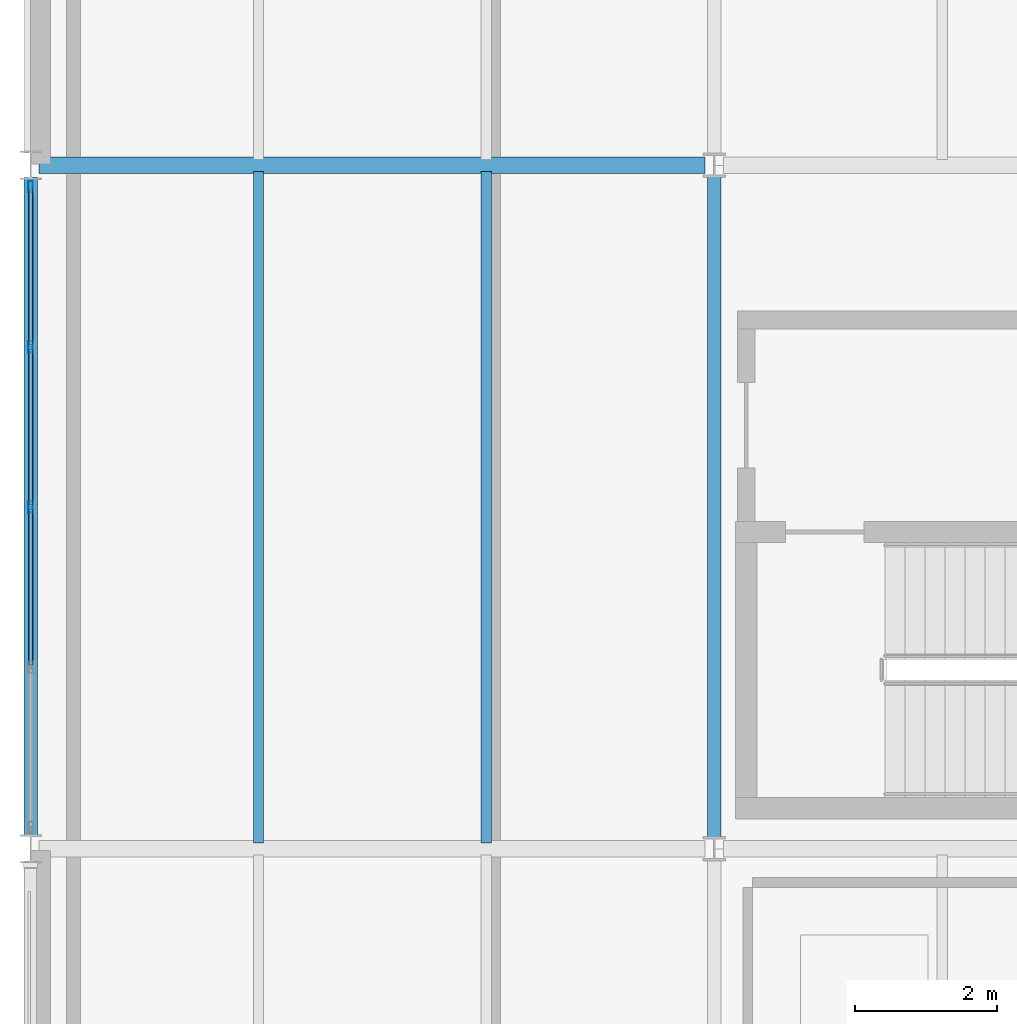
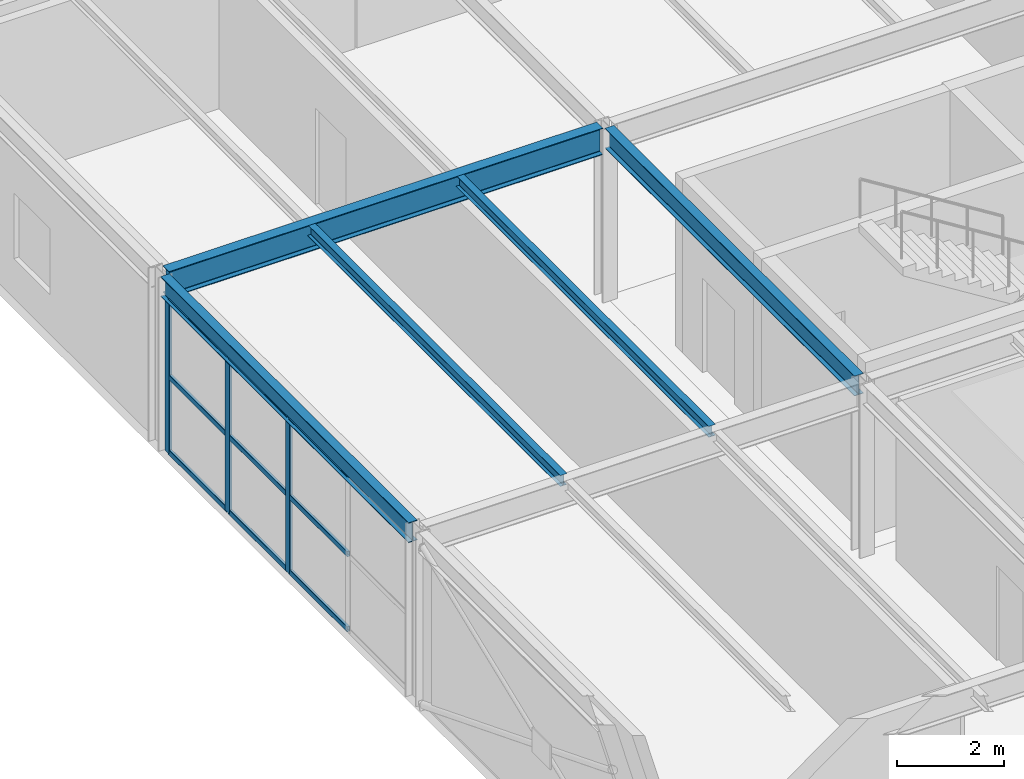
# One storey, part 33 of 126: 12 members, 5 beams, 1 element without a shape of its own.
"""IFC4 building model written with IfcOpenShell, lengths in metres."""

from ifc_helpers import new_model, si_unit, direction, frame, origin, origin_2d, place, context, subcontext, project, spatial, hollow_rectangle, i_section, extrude, material, material_profile, profile_set, type_object, element, aggregate, save


model = new_model("IFC4")

# Units and contexts
model_context = context("Model", 3, precision=1e-05, world=origin(), true_north=direction((0.0, 1.0)))
body_context = subcontext(model_context, "Body", "Model", "MODEL_VIEW")
ifc_project = project(units=[si_unit("LENGTHUNIT", "METRE"), si_unit("AREAUNIT", "SQUARE_METRE"), si_unit("VOLUMEUNIT", "CUBIC_METRE"), si_unit("PLANEANGLEUNIT", "RADIAN"), si_unit("MASSUNIT", "GRAM", prefix="KILO")], contexts=[model_context])

# Site, building, storey
site_placement = place(None, origin())
site = spatial("IfcSite", under=ifc_project, at=site_placement, CompositionType="ELEMENT")
building_placement = place(site_placement, origin())
building = spatial("IfcBuilding", under=site, at=building_placement, Name="Coralgate Yard Interchange", CompositionType="ELEMENT")
storey_placement = place(building_placement, frame((0.0, 0.0, 10.5)))
storey = spatial("IfcBuildingStorey", under=building, at=storey_placement, Name="L02", CompositionType="ELEMENT", Elevation=10.5)

# Beams
ifc_material_1 = material(Name="Structural steel S355J2", Category="steel")
ifc_material_profile_1 = material_profile(ifc_material_1, i_section(OverallWidth=0.1904296875, OverallDepth=0.45703125, WebThickness=0.009033203125, FlangeThickness=0.014404296875, FilletRadius=0.01025390625, at=origin_2d()), Name="UB 457x191x74")
ifc_profile_set_1 = profile_set([ifc_material_profile_1], Name="Structural steel S355J2")
beam_type_1 = type_object("IfcBeamType", Name="BM-SB-2", PredefinedType="BEAM", material=ifc_profile_set_1)
beam_1_placement = place(storey_placement, frame((0.0, 28.969970703125, 3.721435546875), z_axis=(0.0, 1.0, 0.0), x_axis=(-1.0, 0.0, 0.0)))
element("IfcBeam", 1, at=beam_1_placement, inside=storey, type_object=beam_type_1, Name="L02 primary grid girder X0 Y3-4", PredefinedType="BEAM", context=body_context, shape_type="SweptSolid", body=[
    extrude(i_section(OverallWidth=0.1904296875, OverallDepth=0.45703125, WebThickness=0.009033203125, FlangeThickness=0.014404296875, FilletRadius=0.01025390625, at=origin_2d()), origin(), (0.0, 0.0, 1.0), 9.260009765625),
])
beam_2_placement = place(storey_placement, frame((9.60009765625, 28.93994140625, 3.721435546875), z_axis=(0.0, 1.0, 0.0), x_axis=(-1.0, 0.0, 0.0)))
element("IfcBeam", 2, at=beam_2_placement, inside=storey, type_object=beam_type_1, Name="L02 primary grid girder X1 Y3-4", PredefinedType="BEAM", context=body_context, shape_type="SweptSolid", body=[
    extrude(i_section(OverallWidth=0.1904296875, OverallDepth=0.45703125, WebThickness=0.009033203125, FlangeThickness=0.014404296875, FilletRadius=0.01025390625, at=origin_2d()), origin(), (0.0, 0.0, 1.0), 9.320068359375),
])
ifc_material_profile_2 = material_profile(ifc_material_1, i_section(OverallWidth=0.228271484375, OverallDepth=0.607666015625, WebThickness=0.010986328125, FlangeThickness=0.017333984375, FilletRadius=0.0126953125, at=origin_2d()), Name="UB 610x229x113")
ifc_profile_set_2 = profile_set([ifc_material_profile_2], Name="Structural steel S355J2")
beam_type_2 = type_object("IfcBeamType", Name="BM-SG-5", PredefinedType="BEAM", material=ifc_profile_set_2)
beam_3_placement = place(storey_placement, frame((0.1201171875, 38.39990234375, 3.646240234375), z_axis=(1.0, 0.0, 0.0), x_axis=(0.0, 1.0, 0.0)))
element("IfcBeam", 3, at=beam_3_placement, inside=storey, type_object=beam_type_2, Name="L02 primary grid beam Y4 X0-1", PredefinedType="BEAM", context=body_context, shape_type="SweptSolid", body=[
    extrude(i_section(OverallWidth=0.228271484375, OverallDepth=0.607666015625, WebThickness=0.010986328125, FlangeThickness=0.017333984375, FilletRadius=0.0126953125, at=origin_2d()), origin(), (0.0, 0.0, 1.0), 9.3525390625),
])
ifc_material_profile_3 = material_profile(ifc_material_1, i_section(OverallWidth=0.14599609375, OverallDepth=0.25146484375, WebThickness=0.006103515625, FlangeThickness=0.008544921875, FilletRadius=0.007568359375, at=origin_2d()), Name="UB 254x146x31")
ifc_profile_set_3 = profile_set([ifc_material_profile_3], Name="Structural steel S355J2")
beam_type_3 = type_object("IfcBeamType", Name="BM-SJ-2", PredefinedType="JOIST", material=ifc_profile_set_3)
for number, where, z_axis, x_axis, name in (
    (4, (3.199951171875, 28.884033203125, 3.82421875), (0.0, 1.0, 0.0), (-1.0, 0.0, 0.0), "L02 composite floor joist 0-3-1"),
    (5, (6.39990234375, 28.884033203125, 3.82421875), (0.0, 1.0, 0.0), (-1.0, 0.0, 0.0), "L02 composite floor joist 0-3-2"),
):
    element("IfcBeam", number, at=place(storey_placement, frame(where, z_axis=z_axis, x_axis=x_axis)), inside=storey, type_object=beam_type_3, Name=name, PredefinedType="JOIST", context=body_context, shape_type="SweptSolid", body=[
        extrude(i_section(OverallWidth=0.14599609375, OverallDepth=0.25146484375, WebThickness=0.006103515625, FlangeThickness=0.008544921875, FilletRadius=0.007568359375, at=origin_2d()), origin(), (0.0, 0.0, 1.0), 9.431884765625),
    ])

# Curtain wall, members
ifc_material_2 = material(Name="Anodised coastal aluminium and solar-control low-E glass", Category="aluminium")
curtain_wall_type = type_object("IfcCurtainWallType", Name="CW-CW-L02-A", PredefinedType="NOTDEFINED", material=ifc_material_2)
curtain_wall_placement = place(storey_placement, origin())
curtain_wall = element("IfcCurtainWall", 6, at=curtain_wall_placement, inside=storey, type_object=curtain_wall_type, Name="L02 unitised curtain wall CW-L02-W-00-03", PredefinedType="NOTDEFINED")
ifc_material_3 = material(Name="Anodised coastal aluminium 6063-T6", Category="aluminium")
ifc_material_profile_4 = material_profile(ifc_material_3, hollow_rectangle(XDim=0.06494140625, YDim=0.159912109375, WallThickness=0.00390625, InnerFilletRadius=0.00390625, OuterFilletRadius=0.008056640625, at=origin_2d()), Name="ALU 65x160x4")
ifc_profile_set_4 = profile_set([ifc_material_profile_4], Name="Anodised coastal aluminium 6063-T6")
member_type_1 = type_object("IfcMemberType", Name="MB-MUL-160", PredefinedType="MULLION", material=ifc_profile_set_4)
member_1_placement = place(storey_placement, frame((0.0, 33.60009765625, 0.0), z_axis=(0.0, 0.0, 1.0), x_axis=(1.0, 0.0, 0.0)))
member_1 = element("IfcMember", 7, at=member_1_placement, type_object=member_type_1, Name="CW-L02-W-00-03 vertical mullion 3", PredefinedType="MULLION", context=body_context, shape_type="SweptSolid", body=[
    extrude(hollow_rectangle(XDim=0.06494140625, YDim=0.159912109375, WallThickness=0.00390625, InnerFilletRadius=0.00390625, OuterFilletRadius=0.008056640625, at=origin_2d()), origin(), (0.0, 0.0, 1.0), 3.492919921875),
])
member_2_placement = place(storey_placement, frame((0.0, 35.85009765625, 0.0), z_axis=(0.0, 0.0, 1.0), x_axis=(1.0, 0.0, 0.0)))
member_2 = element("IfcMember", 8, at=member_2_placement, type_object=member_type_1, Name="CW-L02-W-00-03 vertical mullion 4", PredefinedType="MULLION", context=body_context, shape_type="SweptSolid", body=[
    extrude(hollow_rectangle(XDim=0.06494140625, YDim=0.159912109375, WallThickness=0.00390625, InnerFilletRadius=0.00390625, OuterFilletRadius=0.008056640625, at=origin_2d()), origin(), (0.0, 0.0, 1.0), 3.492919921875),
])
member_3_placement = place(storey_placement, frame((0.0, 38.10009765625, 0.0), z_axis=(0.0, 0.0, 1.0), x_axis=(1.0, 0.0, 0.0)))
member_3 = element("IfcMember", 9, at=member_3_placement, type_object=member_type_1, Name="CW-L02-W-00-03 vertical mullion 5", PredefinedType="MULLION", context=body_context, shape_type="SweptSolid", body=[
    extrude(hollow_rectangle(XDim=0.06494140625, YDim=0.159912109375, WallThickness=0.00390625, InnerFilletRadius=0.00390625, OuterFilletRadius=0.008056640625, at=origin_2d()), origin(), (0.0, 0.0, 1.0), 3.492919921875),
])
ifc_material_profile_5 = material_profile(ifc_material_3, hollow_rectangle(XDim=0.06005859375, YDim=0.1201171875, WallThickness=0.00341796875, InnerFilletRadius=0.00341796875, OuterFilletRadius=0.007080078125, at=origin_2d()), Name="ALU 60x120x3.5")
ifc_profile_set_5 = profile_set([ifc_material_profile_5], Name="Anodised coastal aluminium 6063-T6")
member_type_2 = type_object("IfcMemberType", Name="MB-TRN-120", PredefinedType="USERDEFINED", material=ifc_profile_set_5)
member_4_placement = place(storey_placement, frame((0.0, 31.3798828125, 0.034912109375), z_axis=(0.0, 1.0, 0.0), x_axis=(-1.0, 0.0, 0.0)))
member_4 = element("IfcMember", 10, at=member_4_placement, type_object=member_type_2, Name="CW-L02-W-00-03 horizontal transom 2-1", ObjectType="TRANSOM", PredefinedType="USERDEFINED", context=body_context, shape_type="SweptSolid", body=[
    extrude(hollow_rectangle(XDim=0.06005859375, YDim=0.1201171875, WallThickness=0.00341796875, InnerFilletRadius=0.00341796875, OuterFilletRadius=0.007080078125, at=origin_2d()), origin(), (0.0, 0.0, 1.0), 2.190185546875),
])
member_5_placement = place(storey_placement, frame((0.0, 31.3798828125, 1.74658203125), z_axis=(0.0, 1.0, 0.0), x_axis=(-1.0, 0.0, 0.0)))
member_5 = element("IfcMember", 11, at=member_5_placement, type_object=member_type_2, Name="CW-L02-W-00-03 horizontal transom 2-2", ObjectType="TRANSOM", PredefinedType="USERDEFINED", context=body_context, shape_type="SweptSolid", body=[
    extrude(hollow_rectangle(XDim=0.06005859375, YDim=0.1201171875, WallThickness=0.00341796875, InnerFilletRadius=0.00341796875, OuterFilletRadius=0.007080078125, at=origin_2d()), origin(), (0.0, 0.0, 1.0), 2.190185546875),
])
member_6_placement = place(storey_placement, frame((0.0, 31.3798828125, 3.4580078125), z_axis=(0.0, 1.0, 0.0), x_axis=(-1.0, 0.0, 0.0)))
member_6 = element("IfcMember", 12, at=member_6_placement, type_object=member_type_2, Name="CW-L02-W-00-03 horizontal transom 2-3", ObjectType="TRANSOM", PredefinedType="USERDEFINED", context=body_context, shape_type="SweptSolid", body=[
    extrude(hollow_rectangle(XDim=0.06005859375, YDim=0.1201171875, WallThickness=0.00341796875, InnerFilletRadius=0.00341796875, OuterFilletRadius=0.007080078125, at=origin_2d()), origin(), (0.0, 0.0, 1.0), 2.190185546875),
])
member_7_placement = place(storey_placement, frame((0.0, 33.6298828125, 0.034912109375), z_axis=(0.0, 1.0, 0.0), x_axis=(-1.0, 0.0, 0.0)))
member_7 = element("IfcMember", 13, at=member_7_placement, type_object=member_type_2, Name="CW-L02-W-00-03 horizontal transom 3-1", ObjectType="TRANSOM", PredefinedType="USERDEFINED", context=body_context, shape_type="SweptSolid", body=[
    extrude(hollow_rectangle(XDim=0.06005859375, YDim=0.1201171875, WallThickness=0.00341796875, InnerFilletRadius=0.00341796875, OuterFilletRadius=0.007080078125, at=origin_2d()), origin(), (0.0, 0.0, 1.0), 2.190185546875),
])
member_8_placement = place(storey_placement, frame((0.0, 33.6298828125, 1.74658203125), z_axis=(0.0, 1.0, 0.0), x_axis=(-1.0, 0.0, 0.0)))
member_8 = element("IfcMember", 14, at=member_8_placement, type_object=member_type_2, Name="CW-L02-W-00-03 horizontal transom 3-2", ObjectType="TRANSOM", PredefinedType="USERDEFINED", context=body_context, shape_type="SweptSolid", body=[
    extrude(hollow_rectangle(XDim=0.06005859375, YDim=0.1201171875, WallThickness=0.00341796875, InnerFilletRadius=0.00341796875, OuterFilletRadius=0.007080078125, at=origin_2d()), origin(), (0.0, 0.0, 1.0), 2.190185546875),
])
member_9_placement = place(storey_placement, frame((0.0, 33.6298828125, 3.4580078125), z_axis=(0.0, 1.0, 0.0), x_axis=(-1.0, 0.0, 0.0)))
member_9 = element("IfcMember", 15, at=member_9_placement, type_object=member_type_2, Name="CW-L02-W-00-03 horizontal transom 3-3", ObjectType="TRANSOM", PredefinedType="USERDEFINED", context=body_context, shape_type="SweptSolid", body=[
    extrude(hollow_rectangle(XDim=0.06005859375, YDim=0.1201171875, WallThickness=0.00341796875, InnerFilletRadius=0.00341796875, OuterFilletRadius=0.007080078125, at=origin_2d()), origin(), (0.0, 0.0, 1.0), 2.190185546875),
])
member_10_placement = place(storey_placement, frame((0.0, 35.8798828125, 0.034912109375), z_axis=(0.0, 1.0, 0.0), x_axis=(-1.0, 0.0, 0.0)))
member_10 = element("IfcMember", 16, at=member_10_placement, type_object=member_type_2, Name="CW-L02-W-00-03 horizontal transom 4-1", ObjectType="TRANSOM", PredefinedType="USERDEFINED", context=body_context, shape_type="SweptSolid", body=[
    extrude(hollow_rectangle(XDim=0.06005859375, YDim=0.1201171875, WallThickness=0.00341796875, InnerFilletRadius=0.00341796875, OuterFilletRadius=0.007080078125, at=origin_2d()), origin(), (0.0, 0.0, 1.0), 2.190185546875),
])
member_11_placement = place(storey_placement, frame((0.0, 35.8798828125, 1.74658203125), z_axis=(0.0, 1.0, 0.0), x_axis=(-1.0, 0.0, 0.0)))
member_11 = element("IfcMember", 17, at=member_11_placement, type_object=member_type_2, Name="CW-L02-W-00-03 horizontal transom 4-2", ObjectType="TRANSOM", PredefinedType="USERDEFINED", context=body_context, shape_type="SweptSolid", body=[
    extrude(hollow_rectangle(XDim=0.06005859375, YDim=0.1201171875, WallThickness=0.00341796875, InnerFilletRadius=0.00341796875, OuterFilletRadius=0.007080078125, at=origin_2d()), origin(), (0.0, 0.0, 1.0), 2.190185546875),
])
member_12_placement = place(storey_placement, frame((0.0, 35.8798828125, 3.4580078125), z_axis=(0.0, 1.0, 0.0), x_axis=(-1.0, 0.0, 0.0)))
member_12 = element("IfcMember", 18, at=member_12_placement, type_object=member_type_2, Name="CW-L02-W-00-03 horizontal transom 4-3", ObjectType="TRANSOM", PredefinedType="USERDEFINED", context=body_context, shape_type="SweptSolid", body=[
    extrude(hollow_rectangle(XDim=0.06005859375, YDim=0.1201171875, WallThickness=0.00341796875, InnerFilletRadius=0.00341796875, OuterFilletRadius=0.007080078125, at=origin_2d()), origin(), (0.0, 0.0, 1.0), 2.190185546875),
])
aggregate(curtain_wall, [member_1, member_2, member_3, member_4, member_5, member_6, member_7, member_8, member_9, member_10, member_11, member_12])

save(model, "model.ifc")
